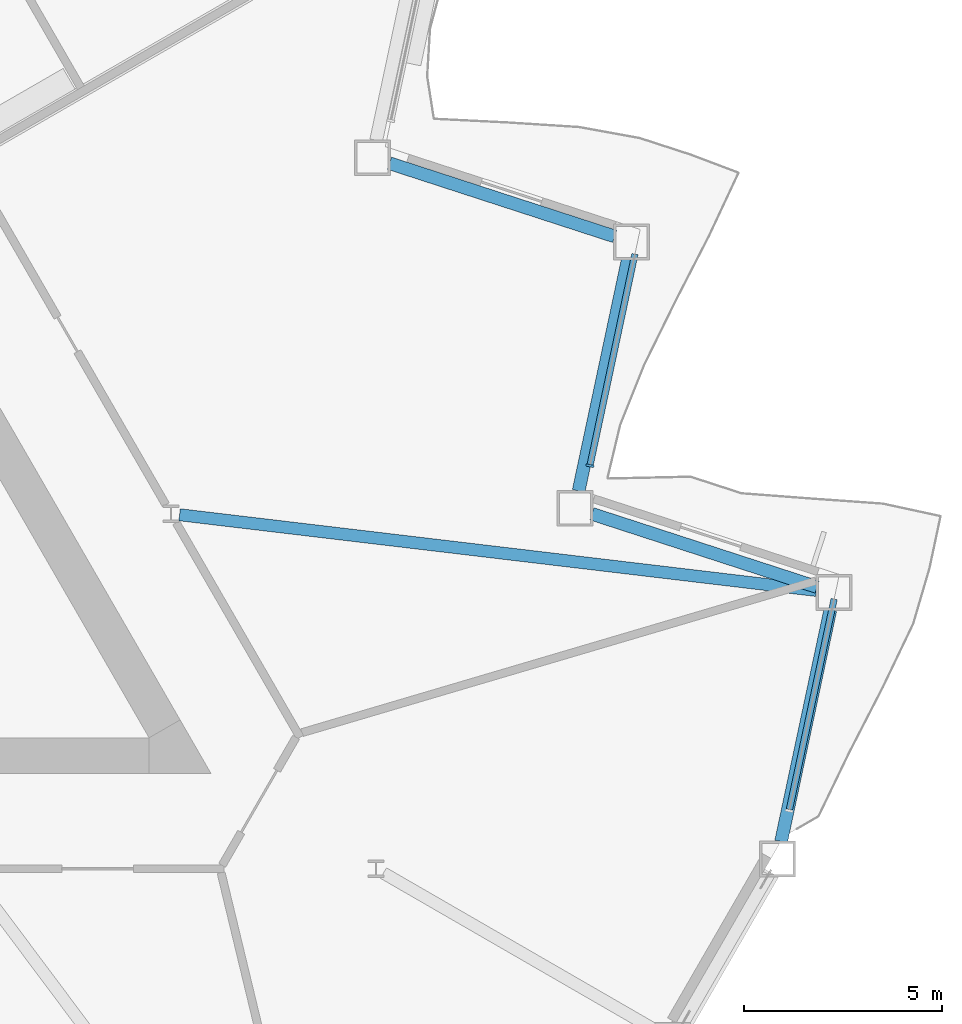
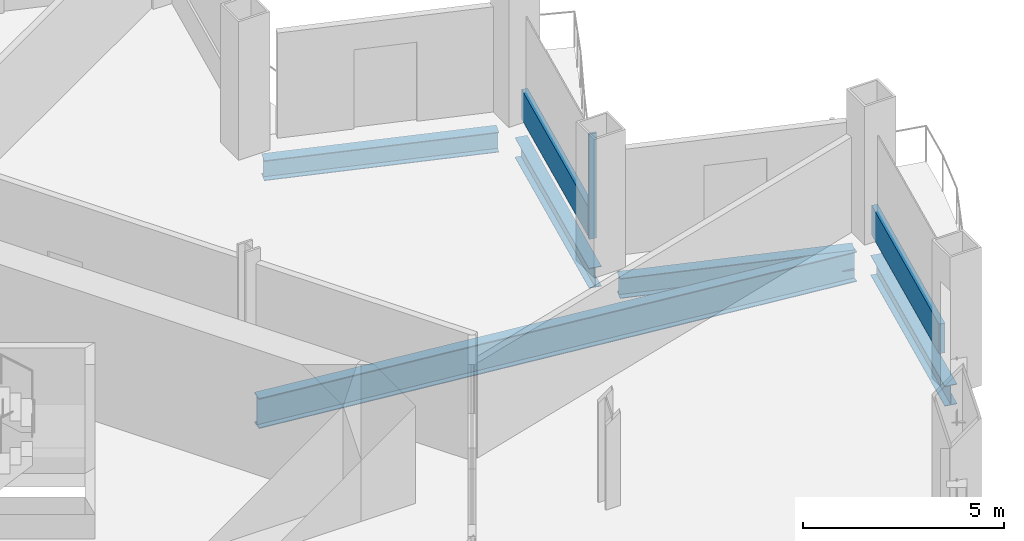
# One storey, part 6 of 21: 5 beams, 3 members, 2 elements without a shape of their own.
"""IFC4 building model written with IfcOpenShell, lengths in metres."""

from ifc_helpers import new_model, si_unit, direction, frame, origin, origin_2d, place, context, subcontext, project, spatial, rectangle, i_section, extrude, material, layer, layer_set, material_profile, profile_set, type_object, element, aggregate, save


model = new_model("IFC4")

# Units and contexts
model_context = context("Model", 3, precision=1e-05, world=origin(), true_north=direction((0.0, 1.0)))
body_context = subcontext(model_context, "Body", "Model", "MODEL_VIEW")
ifc_project = project(units=[si_unit("LENGTHUNIT", "METRE"), si_unit("AREAUNIT", "SQUARE_METRE"), si_unit("VOLUMEUNIT", "CUBIC_METRE"), si_unit("PLANEANGLEUNIT", "RADIAN"), si_unit("MASSUNIT", "GRAM", prefix="KILO")], contexts=[model_context])

# Site, building, storey
site_placement = place(None, origin())
site = spatial("IfcSite", under=ifc_project, at=site_placement, CompositionType="ELEMENT")
building_placement = place(site_placement, origin())
building = spatial("IfcBuilding", under=site, at=building_placement, Name="Cormorant Prow Tower", CompositionType="ELEMENT")
storey_placement = place(building_placement, frame((0.0, 0.0, 120.60009765625)))
storey = spatial("IfcBuildingStorey", under=building, at=storey_placement, Name="L25", CompositionType="ELEMENT", Elevation=120.60009765625)

# Curtain wall, member
ifc_material_1 = material(Name="Aluminium 6063-T6", Category="aluminium")
ifc_layer = layer(ifc_material_1, 0.199951171875)
ifc_layer_set = layer_set([ifc_layer], Name="Aluminium 6063-T6")
curtain_wall_type = type_object("IfcCurtainWallType", Name="Office unitised curtain wall 200", PredefinedType="NOTDEFINED", material=ifc_layer_set)
curtain_wall_1_placement = place(storey_placement, origin())
curtain_wall_1 = element("IfcCurtainWall", 1, at=curtain_wall_1_placement, inside=storey, type_object=curtain_wall_type, Name="Office curtain wall ENE02", PredefinedType="NOTDEFINED")
ifc_material_2 = material(Name="Aluminium 6063-T6", Category="aluminium")
ifc_material_profile_1 = material_profile(ifc_material_2, rectangle(XDim=0.199951171875, YDim=0.06005859375, at=origin_2d()), Name="Office mullion 60x200")
ifc_profile_set_1 = profile_set([ifc_material_profile_1], Name="Aluminium 6063-T6")
member_type_1 = type_object("IfcMemberType", Name="Office mullion 60x200", PredefinedType="MULLION", material=ifc_profile_set_1)
member_1_placement = place(storey_placement, frame((26.04736328125, -1.77294921875, 0.0), z_axis=(0.0, 0.0, 1.0), x_axis=(-0.978147610002, 0.207911647216, 0.0)))
member_1 = element("IfcMember", 2, at=member_1_placement, type_object=member_type_1, Name="Office mullion ENE02", PredefinedType="MULLION", context=body_context, shape_type="SweptSolid", body=[
    extrude(rectangle(XDim=0.199951171875, YDim=0.06005859375, at=origin_2d()), origin(), (0.0, 0.0, 1.0), 3.188720703125),
])

curtain_wall_2_placement = place(storey_placement, origin())
curtain_wall_2 = element("IfcCurtainWall", 3, at=curtain_wall_2_placement, inside=storey, type_object=curtain_wall_type, Name="Office curtain wall ENE00", PredefinedType="NOTDEFINED")
ifc_material_3 = material(Name="Terracotta", Category="masonry")
ifc_material_profile_2 = material_profile(ifc_material_3, rectangle(XDim=0.159912109375, YDim=0.89990234375, at=origin_2d()), Name="Office terracotta spandrel rail 160x900")
ifc_profile_set_2 = profile_set([ifc_material_profile_2], Name="Terracotta")
member_type_2 = type_object("IfcMemberType", Name="Office terracotta spandrel rail 160x900", PredefinedType="USERDEFINED", material=ifc_profile_set_2)
member_2_placement = place(storey_placement, frame((31.071533203125, -10.435302734375, 0.449951171875), z_axis=(0.207907775763, 0.978148432896, 0.0), x_axis=(-0.978148432896, 0.207907775763, 0.0)))
member_2 = element("IfcMember", 4, at=member_2_placement, type_object=member_type_2, Name="Office spandrel rail ENE00", ObjectType="TRANSOM", PredefinedType="USERDEFINED", context=body_context, shape_type="SweptSolid", body=[
    extrude(rectangle(XDim=0.159912109375, YDim=0.89990234375, at=origin_2d()), origin(), (0.0, 0.0, 1.0), 5.42041015625),
])
aggregate(curtain_wall_2, [member_2])

# Member
member_3_placement = place(storey_placement, frame((26.053466796875, -1.74365234375, 0.449951171875), z_axis=(0.207907775763, 0.978148432896, 0.0), x_axis=(-0.978148432896, 0.207907775763, 0.0)))
member_3 = element("IfcMember", 5, at=member_3_placement, type_object=member_type_2, Name="Office spandrel rail ENE02", ObjectType="TRANSOM", PredefinedType="USERDEFINED", context=body_context, shape_type="SweptSolid", body=[
    extrude(rectangle(XDim=0.159912109375, YDim=0.89990234375, at=origin_2d()), origin(), (0.0, 0.0, 1.0), 5.42041015625),
])

aggregate(curtain_wall_1, [member_1, member_3])

# Beams
ifc_material_4 = material(Name="Structural steel ASTM A992 Gr 50", Category="steel")
ifc_material_profile_3 = material_profile(ifc_material_4, i_section(OverallWidth=0.3046875, OverallDepth=0.914794921875, WebThickness=0.0166015625, FlangeThickness=0.02587890625, at=origin_2d()), Name="W36x160")
ifc_profile_set_3 = profile_set([ifc_material_profile_3], Name="Structural steel ASTM A992 Gr 50")
beam_type_1 = type_object("IfcBeamType", Name="Radial floor beam W36x160", PredefinedType="BEAM", material=ifc_profile_set_3)
beam_1_placement = place(storey_placement, frame((15.70849609375, -3.00732421875, -0.857421875), z_axis=(0.993009167646, -0.118037252474, 0.0), x_axis=(0.118037252474, 0.993009167646, 0.0)))
element("IfcBeam", 6, at=beam_1_placement, inside=storey, type_object=beam_type_1, Name="Radial floor beam FB1 10 L25", PredefinedType="BEAM", context=body_context, shape_type="SweptSolid", body=[
    extrude(i_section(OverallWidth=0.3046875, OverallDepth=0.914794921875, WebThickness=0.0166015625, FlangeThickness=0.02587890625, at=origin_2d()), origin(), (0.0, 0.0, 1.0), 16.15380859375),
])
ifc_material_5 = material(Name="Structural steel ASTM A992 Gr 50", Category="steel")
ifc_material_profile_4 = material_profile(ifc_material_5, i_section(OverallWidth=0.32373046875, OverallDepth=0.611083984375, WebThickness=0.0126953125, FlangeThickness=0.01904296875, at=origin_2d()), Name="W24x104")
ifc_profile_set_4 = profile_set([ifc_material_profile_4], Name="Structural steel ASTM A992 Gr 50")
beam_type_2 = type_object("IfcBeamType", Name="Spandrel beam W24x104", PredefinedType="SPANDREL", material=ifc_profile_set_4)
beam_2_placement = place(storey_placement, frame((30.86279296875, -11.23974609375, -0.70556640625), z_axis=(0.207912620873, 0.978147403044, 0.0), x_axis=(-0.978147403044, 0.207912620873, 0.0)))
element("IfcBeam", 7, at=beam_2_placement, inside=storey, type_object=beam_type_2, Name="Spandrel beam SB1 ENE00-ENE01 L25", PredefinedType="SPANDREL", context=body_context, shape_type="SweptSolid", body=[
    extrude(i_section(OverallWidth=0.32373046875, OverallDepth=0.611083984375, WebThickness=0.0126953125, FlangeThickness=0.01904296875, at=origin_2d()), origin(), (0.0, 0.0, 1.0), 5.962890625),
])
for number, where, z_axis, x_axis, name in (
    (8, (31.768310546875, -4.828125, -0.70556640625), (-0.951059340519, 0.309008302174, 0.0), (-0.309008302174, -0.951059340519, 0.0), "Spandrel beam SB1 ENE01-ENE02 L25"),
    (9, (25.762939453125, -2.40625, -0.70556640625), (0.207920947907, 0.978145633033, 0.0), (-0.978145633033, 0.207920947907, 0.0), "Spandrel beam SB1 ENE02-ENE03 L25"),
):
    element("IfcBeam", number, at=place(storey_placement, frame(where, z_axis=z_axis, x_axis=x_axis)), inside=storey, type_object=beam_type_2, Name=name, PredefinedType="SPANDREL", context=body_context, shape_type="SweptSolid", body=[
        extrude(i_section(OverallWidth=0.32373046875, OverallDepth=0.611083984375, WebThickness=0.0126953125, FlangeThickness=0.01904296875, at=origin_2d()), origin(), (0.0, 0.0, 1.0), 5.962646484375),
    ])
beam_3_placement = place(storey_placement, frame((26.668212890625, 4.00537109375, -0.70556640625), z_axis=(-0.951055430656, 0.309020335608, 0.0), x_axis=(-0.309020335608, -0.951055430656, 0.0)))
element("IfcBeam", 10, at=beam_3_placement, inside=storey, type_object=beam_type_2, Name="Spandrel beam SB1 ENE03-ENE04 L25", PredefinedType="SPANDREL", context=body_context, shape_type="SweptSolid", body=[
    extrude(i_section(OverallWidth=0.32373046875, OverallDepth=0.611083984375, WebThickness=0.0126953125, FlangeThickness=0.01904296875, at=origin_2d()), origin(), (0.0, 0.0, 1.0), 5.96240234375),
])

save(model, "model.ifc")
